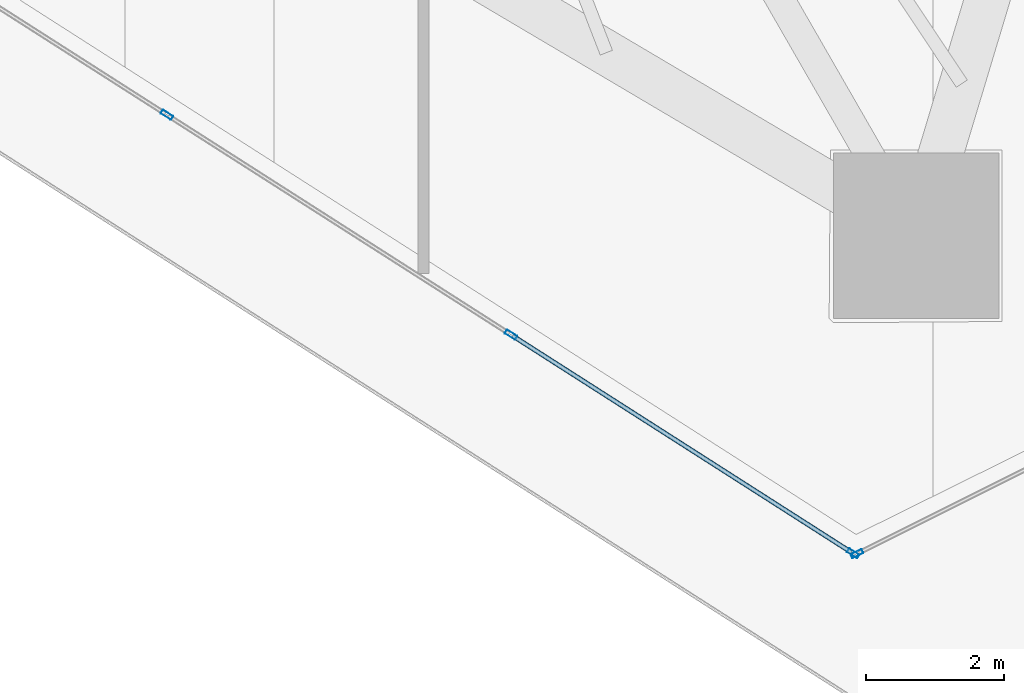
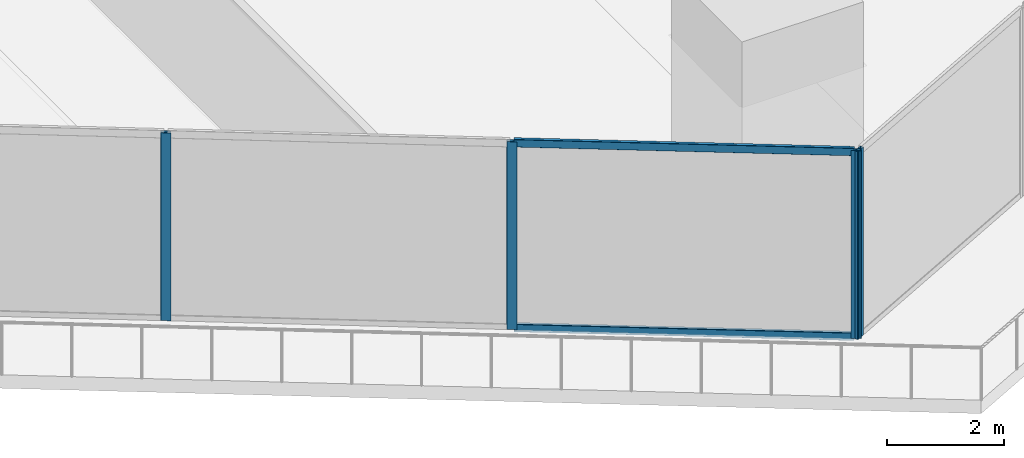
# One storey, part 7 of 46: 6 members, 2 elements without a shape of their own.
"""IFC4 building model written with IfcOpenShell, lengths in metres."""

import ifcopenshell
import ifcopenshell.guid

model = None  # the IFC model being written
_history = None  # IfcOwnerHistory: only IFC2X3 demands one
_inside = {}  # id of a spatial element -> (the spatial element, [elements in it])
_under = {}  # id of a project, library or spatial element -> (it, [spatial elements below it])
_declared = {}  # id of a project -> (the project, [libraries it declares])
_typed = {}  # id of a type object -> (the type object, [elements of that type])
_made_of = {}  # id of a material, layer set ... -> (it, [elements and type objects made of it])


def new_model(schema):
    """Start an empty IFC model of exactly this schema.

    Asked for "IFC4X3", IfcOpenShell would pick the latest addendum, in which some entities
    have other attributes; the version numbers below select the first issue.
    IFC2X3 requires an IfcOwnerHistory on every rooted entity: one is made here for all.
    """
    global model, _history
    if schema == "IFC4X3":
        model = ifcopenshell.file(schema_version=(4, 3, 0, 0))
    else:
        model = ifcopenshell.file(schema=schema)
    _inside.clear()
    _under.clear()
    _declared.clear()
    _typed.clear()
    _made_of.clear()
    _history = None
    if model.schema == "IFC2X3":
        org = make("IfcOrganization", Name="unknown")
        user = make(
            "IfcPersonAndOrganization",
            ThePerson=make("IfcPerson", FamilyName="unknown"),
            TheOrganization=org,
        )
        app = make(
            "IfcApplication",
            ApplicationDeveloper=org,
            Version="unknown",
            ApplicationFullName="unknown",
            ApplicationIdentifier="unknown",
        )
        _history = make(
            "IfcOwnerHistory",
            OwningUser=user,
            OwningApplication=app,
            ChangeAction="ADDED",
            CreationDate=0,
        )
    return model


def make(cls, **values):
    """One entity of the class cls with the attributes given. An attribute that is None is left unset."""
    return model.create_entity(
        cls, **{name: value for name, value in values.items() if value is not None}
    )


def rooted(cls, **values):
    """An entity with a GlobalId (a new one), such as an element, a storey or a relation."""
    return make(cls, GlobalId=ifcopenshell.guid.new(), OwnerHistory=_history, **values)


def si_unit(unit_type, name, prefix=None):
    """IfcSIUnit, for example si_unit("LENGTHUNIT", "METRE", prefix="MILLI")."""
    return make("IfcSIUnit", UnitType=unit_type, Prefix=prefix, Name=name)


def assignment(units):
    """IfcUnitAssignment: the units of a project."""
    return None if units is None else make("IfcUnitAssignment", Units=units)


def point(xyz):
    """IfcCartesianPoint."""
    return None if xyz is None else make("IfcCartesianPoint", Coordinates=xyz)


def direction(xyz):
    """IfcDirection."""
    return None if xyz is None else make("IfcDirection", DirectionRatios=xyz)


def frame(location, z_axis=None, x_axis=None):
    """IfcAxis2Placement3D, a coordinate frame: its origin and axes. An axis left out is left unset."""
    return make(
        "IfcAxis2Placement3D",
        Location=point(location),
        Axis=direction(z_axis),
        RefDirection=direction(x_axis),
    )


def frame_2d(location, x_axis=None):
    """IfcAxis2Placement2D, a coordinate frame in the plane: its origin and x axis."""
    return make(
        "IfcAxis2Placement2D", Location=point(location), RefDirection=direction(x_axis)
    )


def origin():
    """The frame at (0, 0, 0) with its axes left unset."""
    return frame((0.0, 0.0, 0.0))


def origin_2d():
    """The frame at (0, 0) in the plane with its x axis left unset."""
    return frame_2d((0.0, 0.0))


def place(relative_to, where):
    """IfcLocalPlacement: puts the frame where relative to a parent placement (None: the world)."""
    return make(
        "IfcLocalPlacement", PlacementRelTo=relative_to, RelativePlacement=where
    )


def context(
    kind, dimensions, precision=None, world=None, true_north=None, identifier=None
):
    """IfcGeometricRepresentationContext, for example the 3D "Model" context."""
    return make(
        "IfcGeometricRepresentationContext",
        ContextIdentifier=identifier,
        ContextType=kind,
        CoordinateSpaceDimension=dimensions,
        Precision=precision,
        WorldCoordinateSystem=world,
        TrueNorth=true_north,
    )


def subcontext(parent, identifier, kind, view, scale=None):
    """IfcGeometricRepresentationSubContext, for example "Body" below "Model"."""
    return make(
        "IfcGeometricRepresentationSubContext",
        ContextIdentifier=identifier,
        ContextType=kind,
        ParentContext=parent,
        TargetScale=scale,
        TargetView=view,
    )


def project(units=None, contexts=None):
    """IfcProject with its units and contexts."""
    return rooted(
        "IfcProject",
        Name="project",
        RepresentationContexts=contexts,
        UnitsInContext=assignment(units),
    )


def spatial(cls, under=None, at=None, **own):
    """A site, building, storey or space (cls), placed at a placement, below another one or the project."""
    s = rooted(cls, ObjectPlacement=at, **own)
    if under is not None:
        _under.setdefault(under.id(), (under, []))[1].append(s)
    return s


def profile(cls, at=None, kind="AREA", **sizes):
    """A parametric profile (cls). Its sizes go by their IFC names, for example OverallWidth=200.0."""
    return make(cls, ProfileType=kind, Position=at, **sizes)


def hollow_rectangle(**sizes):
    """IfcRectangleHollowProfileDef."""
    return profile("IfcRectangleHollowProfileDef", **sizes)


def extrude(swept, where, along, depth):
    """IfcExtrudedAreaSolid: the profile swept, set in the frame where, extruded along a direction by depth."""
    return make(
        "IfcExtrudedAreaSolid",
        SweptArea=swept,
        Position=where,
        ExtrudedDirection=direction(along),
        Depth=depth,
    )


def shape(context_of_items, identifier, shape_type, items):
    """IfcShapeRepresentation: the items that make up one representation, for example the "Body"."""
    return make(
        "IfcShapeRepresentation",
        ContextOfItems=context_of_items,
        RepresentationIdentifier=identifier,
        RepresentationType=shape_type,
        Items=items,
    )


def material(Name=None, Category=None):
    """IfcMaterial."""
    return make("IfcMaterial", Name=Name, Category=Category)


def layer(
    of_material, thickness, ventilated=None, Name=None, Category=None, Priority=None
):
    """IfcMaterialLayer: one layer of a wall or slab, of a material (None: an air gap)."""
    return make(
        "IfcMaterialLayer",
        Material=of_material,
        LayerThickness=thickness,
        IsVentilated=ventilated,
        Name=Name,
        Category=Category,
        Priority=Priority,
    )


def layer_set(layers, Name=None):
    """IfcMaterialLayerSet."""
    return make("IfcMaterialLayerSet", MaterialLayers=layers, LayerSetName=Name)


def material_profile(
    of_material, cross_section, Name=None, Category=None, Priority=None
):
    """IfcMaterialProfile: a cross section and its material."""
    return make(
        "IfcMaterialProfile",
        Name=Name,
        Material=of_material,
        Profile=cross_section,
        Priority=Priority,
        Category=Category,
    )


def profile_set(profiles, Name=None, composite=None):
    """IfcMaterialProfileSet."""
    return make(
        "IfcMaterialProfileSet",
        Name=Name,
        MaterialProfiles=profiles,
        CompositeProfile=composite,
    )


def made_of(thing, what):
    """Note that an element or type object is made of a material, layer set ...; save() writes the relation."""
    if what is not None:
        _made_of.setdefault(what.id(), (what, []))[1].append(thing)
    return thing


def type_object(cls, material=None, **own):
    """A type object (cls), such as IfcWallType, which elements share."""
    return made_of(rooted(cls, **own), material)


def element(
    cls,
    number,
    at=None,
    inside=None,
    cuts=None,
    type_object=None,
    material=None,
    context=None,
    identifier="Body",
    shape_type=None,
    held_by="IfcProductDefinitionShape",
    body=None,
    shapes=None,
    **own,
):
    """One element of the class cls, such as IfcWall. Its Tag is "e" and its number.

    at: its placement. inside: the storey or other place that contains it. cuts: it is an
    opening in that element (IfcRelVoidsElement). A single representation is given by context,
    identifier, shape_type and body (its items); several are given by shapes. held_by: the class
    of the entity that holds the representations. save() writes the other relations.
    """
    e = rooted(cls, Tag="e%d" % number, ObjectPlacement=at, **own)
    if body is not None:
        shapes = [shape(context, identifier, shape_type, body)]
    if shapes is not None:
        e.Representation = make(held_by, Representations=shapes)
    if inside is not None:
        _inside.setdefault(inside.id(), (inside, []))[1].append(e)
    if cuts is not None:
        rooted(
            "IfcRelVoidsElement", RelatingBuildingElement=cuts, RelatedOpeningElement=e
        )
    if type_object is not None:
        _typed.setdefault(type_object.id(), (type_object, []))[1].append(e)
    return made_of(e, material)


def aggregate(whole, parts):
    """IfcRelAggregates: a whole, such as a stair, and the parts it consists of."""
    return rooted("IfcRelAggregates", RelatingObject=whole, RelatedObjects=parts)


def save(model, path):
    """Write the relations noted so far, then the file.

    IfcRelAggregates (storeys below a building ...), IfcRelContainedInSpatialStructure (elements
    in a storey), IfcRelDefinesByType, IfcRelAssociatesMaterial and IfcRelDeclares: one each for
    every whole, place, type object, material and project.
    """
    for whole, parts in _under.values():
        aggregate(whole, parts)
    for where, things in _inside.values():
        rooted(
            "IfcRelContainedInSpatialStructure",
            RelatedElements=things,
            RelatingStructure=where,
        )
    for kind, things in _typed.values():
        rooted("IfcRelDefinesByType", RelatedObjects=things, RelatingType=kind)
    for what, things in _made_of.values():
        rooted("IfcRelAssociatesMaterial", RelatedObjects=things, RelatingMaterial=what)
    for by, libraries in _declared.values():
        rooted("IfcRelDeclares", RelatingContext=by, RelatedDefinitions=libraries)
    model.write(path)


model = new_model("IFC4")

# Units and contexts
model_context = context("Model", 3, precision=1e-05, world=origin(), true_north=direction((0.0, 1.0)))
body_context = subcontext(model_context, "Body", "Model", "MODEL_VIEW")
ifc_project = project(units=[si_unit("LENGTHUNIT", "METRE"), si_unit("AREAUNIT", "SQUARE_METRE"), si_unit("VOLUMEUNIT", "CUBIC_METRE"), si_unit("PLANEANGLEUNIT", "RADIAN"), si_unit("MASSUNIT", "GRAM", prefix="KILO")], contexts=[model_context])

# Site, building, storey
site_placement = place(None, origin())
site = spatial("IfcSite", under=ifc_project, at=site_placement, CompositionType="ELEMENT")
building_placement = place(site_placement, origin())
building = spatial("IfcBuilding", under=site, at=building_placement, Name="Qorvath Tower", CompositionType="ELEMENT")
storey_placement = place(building_placement, frame((0.0, 0.0, 87.0)))
storey = spatial("IfcBuildingStorey", under=building, at=storey_placement, Name="L19", CompositionType="ELEMENT", Elevation=87.0)

# Curtain wall, members
ifc_material_1 = material(Name="Anodised aluminium and triple low-E glass", Category="aluminium")
ifc_layer = layer(ifc_material_1, 0.179931640625)
ifc_layer_set = layer_set([ifc_layer], Name="CW-SYS-2")
curtain_wall_type = type_object("IfcCurtainWallType", Name="CW-SYS-2", PredefinedType="NOTDEFINED", material=ifc_layer_set)
curtain_wall_1_placement = place(storey_placement, origin())
curtain_wall_1 = element("IfcCurtainWall", 1, at=curtain_wall_1_placement, inside=storey, type_object=curtain_wall_type, Name="Curtain Wall CW-2 CW-T-L19-2.2", PredefinedType="NOTDEFINED")
ifc_material_2 = material(Name="Anodised aluminium 6063-T6", Category="aluminium")
ifc_material_profile_1 = material_profile(ifc_material_2, hollow_rectangle(XDim=0.06494140625, YDim=0.179931640625, WallThickness=0.00341796875, InnerFilletRadius=0.00341796875, OuterFilletRadius=0.007080078125, at=origin_2d()), Name="CWM 180x65")
ifc_profile_set_1 = profile_set([ifc_material_profile_1], Name="Anodised aluminium 6063-T6")
member_type_1 = type_object("IfcMemberType", Name="CWM-180", PredefinedType="MULLION", material=ifc_profile_set_1)
member_1_placement = place(storey_placement, frame((-25.326416015625, -25.576171875, 0.0), z_axis=(0.0, 0.0, 1.0), x_axis=(0.538533449676, 0.842604132188, 0.0)))
member_1 = element("IfcMember", 2, at=member_1_placement, type_object=member_type_1, Name="CW-2 mullion 3", PredefinedType="MULLION", context=body_context, shape_type="SweptSolid", body=[
    extrude(hollow_rectangle(XDim=0.06494140625, YDim=0.179931640625, WallThickness=0.00341796875, InnerFilletRadius=0.00341796875, OuterFilletRadius=0.007080078125, at=origin_2d()), origin(), (0.0, 0.0, 1.0), 3.919921875),
])
member_2_placement = place(storey_placement, frame((-20.337646484375, -28.7646484375, 0.0), z_axis=(0.0, 0.0, 1.0), x_axis=(0.538533449676, 0.842604132188, 0.0)))
member_2 = element("IfcMember", 3, at=member_2_placement, type_object=member_type_1, Name="CW-2 mullion 4", PredefinedType="MULLION", context=body_context, shape_type="SweptSolid", body=[
    extrude(hollow_rectangle(XDim=0.06494140625, YDim=0.179931640625, WallThickness=0.00341796875, InnerFilletRadius=0.00341796875, OuterFilletRadius=0.007080078125, at=origin_2d()), origin(), (0.0, 0.0, 1.0), 3.919921875),
])
member_3_placement = place(storey_placement, frame((-15.376220703125, -31.935546875, 0.0), z_axis=(0.0, 0.0, 1.0), x_axis=(0.538533449676, 0.842604132188, 0.0)))
member_3 = element("IfcMember", 4, at=member_3_placement, type_object=member_type_1, Name="CW-2 mullion 5", PredefinedType="MULLION", context=body_context, shape_type="SweptSolid", body=[
    extrude(hollow_rectangle(XDim=0.06494140625, YDim=0.179931640625, WallThickness=0.00341796875, InnerFilletRadius=0.00341796875, OuterFilletRadius=0.007080078125, at=origin_2d()), origin(), (0.0, 0.0, 1.0), 3.919921875),
])

# Curtain wall, member
curtain_wall_2_placement = place(storey_placement, origin())
curtain_wall_2 = element("IfcCurtainWall", 5, at=curtain_wall_2_placement, inside=storey, type_object=curtain_wall_type, Name="Curtain Wall CW-2 CW-T-L19-3.1", PredefinedType="NOTDEFINED")
member_4_placement = place(storey_placement, frame((-15.31982421875, -31.9384765625, 0.0), z_axis=(0.0, 0.0, 1.0), x_axis=(-0.447190081713, 0.894438947507, 0.0)))
member_4 = element("IfcMember", 6, at=member_4_placement, type_object=member_type_1, Name="CW-2 mullion 1", PredefinedType="MULLION", context=body_context, shape_type="SweptSolid", body=[
    extrude(hollow_rectangle(XDim=0.06494140625, YDim=0.179931640625, WallThickness=0.00341796875, InnerFilletRadius=0.00341796875, OuterFilletRadius=0.007080078125, at=origin_2d()), origin(), (0.0, 0.0, 1.0), 3.919921875),
])
aggregate(curtain_wall_2, [member_4])

# Member
ifc_material_3 = material(Name="Anodised aluminium 6063-T6", Category="aluminium")
ifc_material_profile_2 = material_profile(ifc_material_3, hollow_rectangle(XDim=0.06494140625, YDim=0.159912109375, WallThickness=0.00341796875, InnerFilletRadius=0.00341796875, OuterFilletRadius=0.007080078125, at=origin_2d()), Name="CWT 160x65")
ifc_profile_set_2 = profile_set([ifc_material_profile_2], Name="Anodised aluminium 6063-T6")
member_type_2 = type_object("IfcMemberType", Name="CWT-160", PredefinedType="USERDEFINED", material=ifc_profile_set_2)
member_5_placement = place(storey_placement, frame((-20.310302734375, -28.7822265625, 0.032470703125), z_axis=(0.842608539244, -0.538526554214, 0.0), x_axis=(0.538526554214, 0.842608539244, 0.0)))
member_5 = element("IfcMember", 7, at=member_5_placement, type_object=member_type_2, Name="CW-2 transom 4.1", ObjectType="TRANSOM", PredefinedType="USERDEFINED", context=body_context, shape_type="SweptSolid", body=[
    extrude(hollow_rectangle(XDim=0.06494140625, YDim=0.159912109375, WallThickness=0.00341796875, InnerFilletRadius=0.00341796875, OuterFilletRadius=0.007080078125, at=origin_2d()), origin(), (0.0, 0.0, 1.0), 5.8232421875),
])

member_6_placement = place(storey_placement, frame((-20.310302734375, -28.7822265625, 3.887451171875), z_axis=(0.842608539244, -0.538526554214, 0.0), x_axis=(0.538526554214, 0.842608539244, 0.0)))
member_6 = element("IfcMember", 8, at=member_6_placement, type_object=member_type_2, Name="CW-2 transom 4.2", ObjectType="TRANSOM", PredefinedType="USERDEFINED", context=body_context, shape_type="SweptSolid", body=[
    extrude(hollow_rectangle(XDim=0.06494140625, YDim=0.159912109375, WallThickness=0.00341796875, InnerFilletRadius=0.00341796875, OuterFilletRadius=0.007080078125, at=origin_2d()), origin(), (0.0, 0.0, 1.0), 5.8232421875),
])

aggregate(curtain_wall_1, [member_1, member_2, member_3, member_5, member_6])

save(model, "model.ifc")
